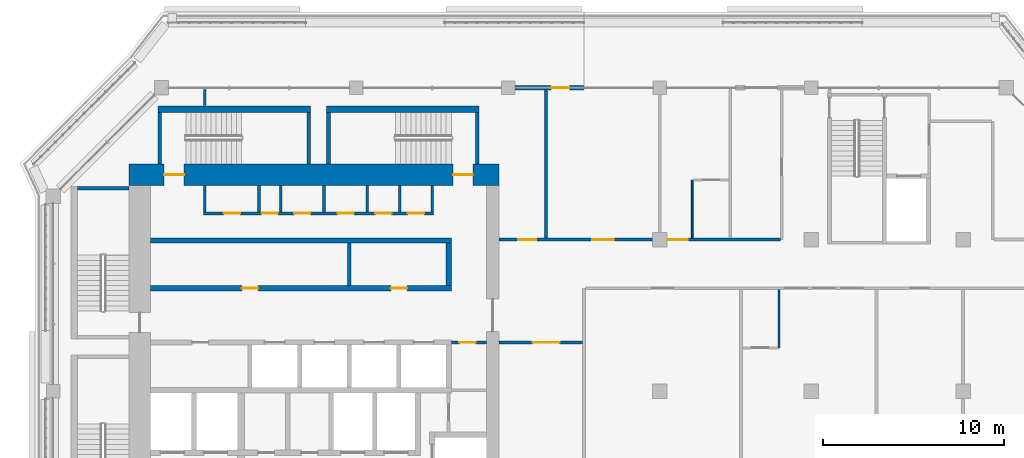
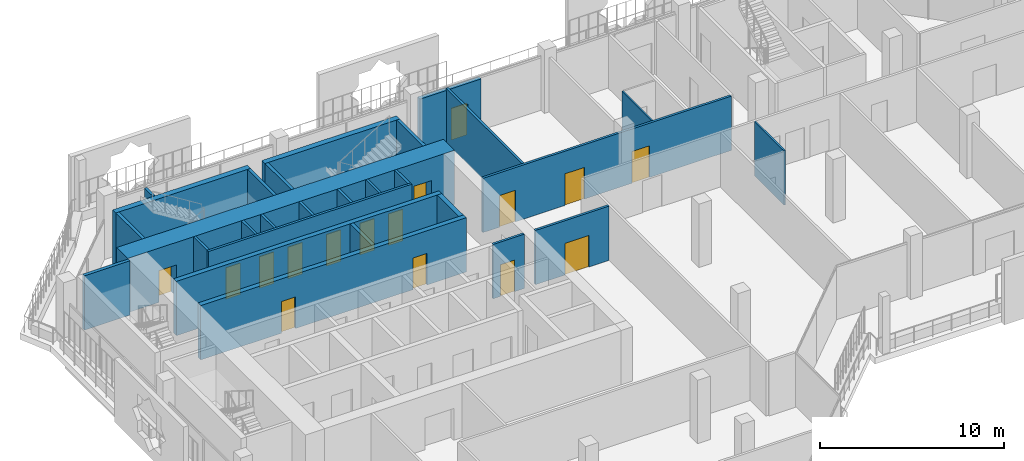
# One storey, part 12 of 21: 28 walls, 16 doors, 16 openings.
"""IFC4 building model written with IfcOpenShell, lengths in metres."""

from ifc_helpers import new_model, si_unit, direction, frame, frame_2d, origin, place, context, subcontext, project, spatial, rectangle, extrude, material, layer, layer_set, type_object, element, fill, save


model = new_model("IFC4")

# Units and contexts
model_context = context("Model", 3, precision=1e-05, world=origin(), true_north=direction((0.0, 1.0)))
body_context = subcontext(model_context, "Body", "Model", "MODEL_VIEW")
ifc_project = project(units=[si_unit("LENGTHUNIT", "METRE"), si_unit("AREAUNIT", "SQUARE_METRE"), si_unit("VOLUMEUNIT", "CUBIC_METRE"), si_unit("PLANEANGLEUNIT", "RADIAN"), si_unit("MASSUNIT", "GRAM", prefix="KILO")], contexts=[model_context])

# Site, building, storey
site_placement = place(None, origin())
site = spatial("IfcSite", under=ifc_project, at=site_placement, CompositionType="ELEMENT")
building_placement = place(site_placement, origin())
building = spatial("IfcBuilding", under=site, at=building_placement, Name="Kawkab Arch Medical Tower", CompositionType="ELEMENT")
storey_placement = place(building_placement, frame((0.0, 0.0, 323.800048828125)))
storey = spatial("IfcBuildingStorey", under=building, at=storey_placement, Name="L75", CompositionType="ELEMENT", Elevation=323.800048828125)

# Wall, openings, doors
ifc_material_1 = material(Name="Concrete C50/60", Category="concrete")
ifc_layer_1 = layer(ifc_material_1, 1.199951171875)
ifc_layer_set_1 = layer_set([ifc_layer_1], Name="Concrete C50/60")
wall_type_1 = type_object("IfcWallType", Name="Core ring wall 1200 C50/60", PredefinedType="SHEAR", material=ifc_layer_set_1)
wall_1_placement = place(storey_placement, frame((4.199951171875, -4.800048828125, 0.0), z_axis=(0.0, 0.0, 1.0), x_axis=(1.0, 0.0, 0.0)))
wall_1 = element("IfcWall", 1, at=wall_1_placement, inside=storey, type_object=wall_type_1, Name="L75 core wall", PredefinedType="SHEAR", context=body_context, shape_type="SweptSolid", body=[
    extrude(rectangle(XDim=20.5, YDim=1.199951171875, at=frame_2d((10.25, 0.0))), origin(), (0.0, 0.0, 1.0), 3.599853515625),
])
opening_1_placement = place(wall_1_placement, frame((1.949951171875, 0.0, 0.0)))
opening_1 = element("IfcOpeningElement", 2, at=opening_1_placement, cuts=wall_1, Name="Opening SD", PredefinedType="OPENING", context=body_context, shape_type="SweptSolid", body=[
    extrude(rectangle(XDim=1.10009765625, YDim=2.10009765625, at=frame_2d((0.550048828125, 1.050048828125))), frame((0.0, 0.60986328125, 0.0), z_axis=(0.0, -1.0, 0.0), x_axis=(1.0, 0.0, 0.0)), (0.0, 0.0, 1.0), 1.219970703125),
])
opening_2_placement = place(wall_1_placement, frame((17.949951171875, 0.0, 0.0)))
opening_2 = element("IfcOpeningElement", 3, at=opening_2_placement, cuts=wall_1, Name="Opening SD", PredefinedType="OPENING", context=body_context, shape_type="SweptSolid", body=[
    extrude(rectangle(XDim=1.10009765625, YDim=2.10009765625, at=frame_2d((0.550048828125, 1.050048828125))), frame((0.0, 0.60986328125, 0.0), z_axis=(0.0, -1.0, 0.0), x_axis=(1.0, 0.0, 0.0)), (0.0, 0.0, 1.0), 1.219970703125),
])
ifc_material_2 = material(Name="Hollow metal fire door leaf")
door_type_1 = type_object("IfcDoorType", Name="Exit stair door 1100", OperationType="SINGLE_SWING_LEFT", PredefinedType="DOOR", material=ifc_material_2)
door_1_placement = place(opening_1_placement, origin())
door_1 = element("IfcDoor", 4, at=door_1_placement, inside=storey, type_object=door_type_1, Name="L75 Exit stair ST3 door", OperationType="SINGLE_SWING_LEFT", OverallHeight=2.10009765625, OverallWidth=1.10009765625, PredefinedType="DOOR", context=body_context, shape_type="SweptSolid", body=[
    extrude(rectangle(XDim=1.10009765625, YDim=2.10009765625, at=frame_2d((0.550048828125, 1.050048828125))), frame((0.0, 0.02490234375, 0.0), z_axis=(0.0, -1.0, 0.0), x_axis=(1.0, 0.0, 0.0)), (0.0, 0.0, 1.0), 0.050048828125),
])
fill(opening_1, door_1)
door_2_placement = place(opening_2_placement, origin())
door_2 = element("IfcDoor", 5, at=door_2_placement, inside=storey, type_object=door_type_1, Name="L75 Exit stair ST4 door", OperationType="SINGLE_SWING_LEFT", OverallHeight=2.10009765625, OverallWidth=1.10009765625, PredefinedType="DOOR", context=body_context, shape_type="SweptSolid", body=[
    extrude(rectangle(XDim=1.10009765625, YDim=2.10009765625, at=frame_2d((0.550048828125, 1.050048828125))), frame((0.0, 0.02490234375, 0.0), z_axis=(0.0, -1.0, 0.0), x_axis=(1.0, 0.0, 0.0)), (0.0, 0.0, 1.0), 0.050048828125),
])
fill(opening_2, door_2)

# Wall, opening, door
ifc_material_3 = material(Name="Gypsum board on steel studs", Category="steel")
ifc_layer_2 = layer(ifc_material_3, 0.14990234375)
ifc_layer_set_2 = layer_set([ifc_layer_2], Name="Gypsum board on steel studs")
wall_type_2 = type_object("IfcWallType", Name="Core room partition 150", PredefinedType="PARTITIONING", material=ifc_layer_set_2)
wall_2_placement = place(storey_placement, frame((22.050048828125, -14.10009765625, 0.0), z_axis=(0.0, 0.0, 1.0), x_axis=(1.0, 0.0, 0.0)))
wall_2 = element("IfcWall", 6, at=wall_2_placement, inside=storey, type_object=wall_type_2, Name="L75 core room partition", PredefinedType="PARTITIONING", context=body_context, shape_type="SweptSolid", body=[
    extrude(rectangle(XDim=1.949951171875, YDim=0.14990234375, at=frame_2d((0.97509765625, 0.0))), origin(), (0.0, 0.0, 1.0), 3.599853515625),
])
opening_3_placement = place(wall_2_placement, frame((0.449951171875, 0.0, 0.0)))
opening_3 = element("IfcOpeningElement", 7, at=opening_3_placement, cuts=wall_2, Name="Opening RD", PredefinedType="OPENING", context=body_context, shape_type="SweptSolid", body=[
    extrude(rectangle(XDim=0.89990234375, YDim=2.10009765625, at=frame_2d((0.449951171875, 1.050048828125))), frame((0.0, 0.0849609375, 0.0), z_axis=(0.0, -1.0, 0.0), x_axis=(1.0, 0.0, 0.0)), (0.0, 0.0, 1.0), 0.169921875),
])
ifc_material_4 = material(Name="Hollow metal fire door leaf")
door_type_2 = type_object("IfcDoorType", Name="Core room door 900", OperationType="SINGLE_SWING_LEFT", PredefinedType="DOOR", material=ifc_material_4)
door_3_placement = place(opening_3_placement, origin())
door_3 = element("IfcDoor", 8, at=door_3_placement, inside=storey, type_object=door_type_2, Name="L75 Equipment store door", OperationType="SINGLE_SWING_LEFT", OverallHeight=2.10009765625, OverallWidth=0.89990234375, PredefinedType="DOOR", context=body_context, shape_type="SweptSolid", body=[
    extrude(rectangle(XDim=0.89990234375, YDim=2.10009765625, at=frame_2d((0.449951171875, 1.050048828125))), frame((0.0, 0.02490234375, 0.0), z_axis=(0.0, -1.0, 0.0), x_axis=(1.0, 0.0, 0.0)), (0.0, 0.0, 1.0), 0.050048828125),
])
fill(opening_3, door_3)

# Wall, openings, doors
wall_3_placement = place(storey_placement, frame((8.324951171875, -6.949951171875, 0.0), z_axis=(0.0, 0.0, 1.0), x_axis=(1.0, 0.0, 0.0)))
wall_3 = element("IfcWall", 9, at=wall_3_placement, inside=storey, type_object=wall_type_2, Name="L75 core room partition", PredefinedType="PARTITIONING", context=body_context, shape_type="SweptSolid", body=[
    extrude(rectangle(XDim=12.75, YDim=0.14990234375, at=frame_2d((6.375, 0.0))), origin(), (0.0, 0.0, 1.0), 3.599853515625),
])
opening_4_placement = place(wall_3_placement, frame((1.125, 0.0, 0.0)))
opening_4 = element("IfcOpeningElement", 10, at=opening_4_placement, cuts=wall_3, Name="Opening RD", PredefinedType="OPENING", context=body_context, shape_type="SweptSolid", body=[
    extrude(rectangle(XDim=0.89990234375, YDim=2.10009765625, at=frame_2d((0.449951171875, 1.050048828125))), frame((0.0, 0.0849609375, 0.0), z_axis=(0.0, -1.0, 0.0), x_axis=(1.0, 0.0, 0.0)), (0.0, 0.0, 1.0), 0.169921875),
])
opening_5_placement = place(wall_3_placement, frame((3.22509765625, 0.0, 0.0)))
opening_5 = element("IfcOpeningElement", 11, at=opening_5_placement, cuts=wall_3, Name="Opening RD", PredefinedType="OPENING", context=body_context, shape_type="SweptSolid", body=[
    extrude(rectangle(XDim=0.89990234375, YDim=2.10009765625, at=frame_2d((0.449951171875, 1.050048828125))), frame((0.0, 0.0849609375, 0.0), z_axis=(0.0, -1.0, 0.0), x_axis=(1.0, 0.0, 0.0)), (0.0, 0.0, 1.0), 0.169921875),
])
opening_6_placement = place(wall_3_placement, frame((5.02490234375, 0.0, 0.0)))
opening_6 = element("IfcOpeningElement", 12, at=opening_6_placement, cuts=wall_3, Name="Opening RD", PredefinedType="OPENING", context=body_context, shape_type="SweptSolid", body=[
    extrude(rectangle(XDim=0.89990234375, YDim=2.10009765625, at=frame_2d((0.449951171875, 1.050048828125))), frame((0.0, 0.0849609375, 0.0), z_axis=(0.0, -1.0, 0.0), x_axis=(1.0, 0.0, 0.0)), (0.0, 0.0, 1.0), 0.169921875),
])
opening_7_placement = place(wall_3_placement, frame((7.425048828125, 0.0, 0.0)))
opening_7 = element("IfcOpeningElement", 13, at=opening_7_placement, cuts=wall_3, Name="Opening RD", PredefinedType="OPENING", context=body_context, shape_type="SweptSolid", body=[
    extrude(rectangle(XDim=0.89990234375, YDim=2.10009765625, at=frame_2d((0.449951171875, 1.050048828125))), frame((0.0, 0.0849609375, 0.0), z_axis=(0.0, -1.0, 0.0), x_axis=(1.0, 0.0, 0.0)), (0.0, 0.0, 1.0), 0.169921875),
])
opening_8_placement = place(wall_3_placement, frame((9.52490234375, 0.0, 0.0)))
opening_8 = element("IfcOpeningElement", 14, at=opening_8_placement, cuts=wall_3, Name="Opening RD", PredefinedType="OPENING", context=body_context, shape_type="SweptSolid", body=[
    extrude(rectangle(XDim=0.89990234375, YDim=2.10009765625, at=frame_2d((0.449951171875, 1.050048828125))), frame((0.0, 0.0849609375, 0.0), z_axis=(0.0, -1.0, 0.0), x_axis=(1.0, 0.0, 0.0)), (0.0, 0.0, 1.0), 0.169921875),
])
opening_9_placement = place(wall_3_placement, frame((11.324951171875, 0.0, 0.0)))
opening_9 = element("IfcOpeningElement", 15, at=opening_9_placement, cuts=wall_3, Name="Opening RD", PredefinedType="OPENING", context=body_context, shape_type="SweptSolid", body=[
    extrude(rectangle(XDim=0.89990234375, YDim=2.10009765625, at=frame_2d((0.449951171875, 1.050048828125))), frame((0.0, 0.0849609375, 0.0), z_axis=(0.0, -1.0, 0.0), x_axis=(1.0, 0.0, 0.0)), (0.0, 0.0, 1.0), 0.169921875),
])
door_4_placement = place(opening_4_placement, origin())
door_4 = element("IfcDoor", 16, at=door_4_placement, inside=storey, type_object=door_type_2, Name="L75 General store door", OperationType="SINGLE_SWING_LEFT", OverallHeight=2.10009765625, OverallWidth=0.89990234375, PredefinedType="DOOR", context=body_context, shape_type="SweptSolid", body=[
    extrude(rectangle(XDim=0.89990234375, YDim=2.10009765625, at=frame_2d((0.449951171875, 1.050048828125))), frame((0.0, 0.02490234375, 0.0), z_axis=(0.0, -1.0, 0.0), x_axis=(1.0, 0.0, 0.0)), (0.0, 0.0, 1.0), 0.050048828125),
])
fill(opening_4, door_4)
door_5_placement = place(opening_5_placement, origin())
door_5 = element("IfcDoor", 17, at=door_5_placement, inside=storey, type_object=door_type_2, Name="L75 Electrical riser room door", OperationType="SINGLE_SWING_LEFT", OverallHeight=2.10009765625, OverallWidth=0.89990234375, PredefinedType="DOOR", context=body_context, shape_type="SweptSolid", body=[
    extrude(rectangle(XDim=0.89990234375, YDim=2.10009765625, at=frame_2d((0.449951171875, 1.050048828125))), frame((0.0, 0.02490234375, 0.0), z_axis=(0.0, -1.0, 0.0), x_axis=(1.0, 0.0, 0.0)), (0.0, 0.0, 1.0), 0.050048828125),
])
fill(opening_5, door_5)
door_6_placement = place(opening_6_placement, origin())
door_6 = element("IfcDoor", 18, at=door_6_placement, inside=storey, type_object=door_type_2, Name="L75 Housekeeping store door", OperationType="SINGLE_SWING_LEFT", OverallHeight=2.10009765625, OverallWidth=0.89990234375, PredefinedType="DOOR", context=body_context, shape_type="SweptSolid", body=[
    extrude(rectangle(XDim=0.89990234375, YDim=2.10009765625, at=frame_2d((0.449951171875, 1.050048828125))), frame((0.0, 0.02490234375, 0.0), z_axis=(0.0, -1.0, 0.0), x_axis=(1.0, 0.0, 0.0)), (0.0, 0.0, 1.0), 0.050048828125),
])
fill(opening_6, door_6)
door_7_placement = place(opening_7_placement, origin())
door_7 = element("IfcDoor", 19, at=door_7_placement, inside=storey, type_object=door_type_2, Name="L75 UPS room door", OperationType="SINGLE_SWING_LEFT", OverallHeight=2.10009765625, OverallWidth=0.89990234375, PredefinedType="DOOR", context=body_context, shape_type="SweptSolid", body=[
    extrude(rectangle(XDim=0.89990234375, YDim=2.10009765625, at=frame_2d((0.449951171875, 1.050048828125))), frame((0.0, 0.02490234375, 0.0), z_axis=(0.0, -1.0, 0.0), x_axis=(1.0, 0.0, 0.0)), (0.0, 0.0, 1.0), 0.050048828125),
])
fill(opening_7, door_7)
door_8_placement = place(opening_8_placement, origin())
door_8 = element("IfcDoor", 20, at=door_8_placement, inside=storey, type_object=door_type_2, Name="L75 Comms room door", OperationType="SINGLE_SWING_LEFT", OverallHeight=2.10009765625, OverallWidth=0.89990234375, PredefinedType="DOOR", context=body_context, shape_type="SweptSolid", body=[
    extrude(rectangle(XDim=0.89990234375, YDim=2.10009765625, at=frame_2d((0.449951171875, 1.050048828125))), frame((0.0, 0.02490234375, 0.0), z_axis=(0.0, -1.0, 0.0), x_axis=(1.0, 0.0, 0.0)), (0.0, 0.0, 1.0), 0.050048828125),
])
fill(opening_8, door_8)
door_9_placement = place(opening_9_placement, origin())
door_9 = element("IfcDoor", 21, at=door_9_placement, inside=storey, type_object=door_type_2, Name="L75 Electrical riser room door", OperationType="SINGLE_SWING_LEFT", OverallHeight=2.10009765625, OverallWidth=0.89990234375, PredefinedType="DOOR", context=body_context, shape_type="SweptSolid", body=[
    extrude(rectangle(XDim=0.89990234375, YDim=2.10009765625, at=frame_2d((0.449951171875, 1.050048828125))), frame((0.0, 0.02490234375, 0.0), z_axis=(0.0, -1.0, 0.0), x_axis=(1.0, 0.0, 0.0)), (0.0, 0.0, 1.0), 0.050048828125),
])
fill(opening_9, door_9)

# Walls
for number, where, z_axis, x_axis, name in (
    (22, (8.39990234375, -6.875, 0.0), (0.0, 0.0, 1.0), (0.0, 1.0, 0.0), "L75 core room partition"),
    (23, (11.39990234375, -6.875, 0.0), (0.0, 0.0, 1.0), (0.0, 1.0, 0.0), "L75 core room partition"),
    (24, (12.60009765625, -6.875, 0.0), (0.0, 0.0, 1.0), (0.0, 1.0, 0.0), "L75 core room partition"),
    (25, (15.0, -6.875, 0.0), (0.0, 0.0, 1.0), (0.0, 1.0, 0.0), "L75 core room partition"),
    (26, (17.39990234375, -6.875, 0.0), (0.0, 0.0, 1.0), (0.0, 1.0, 0.0), "L75 core room partition"),
    (27, (19.199951171875, -6.875, 0.0), (0.0, 0.0, 1.0), (0.0, 1.0, 0.0), "L75 core room partition"),
    (28, (21.0, -6.875, 0.0), (0.0, 0.0, 1.0), (0.0, 1.0, 0.0), "L75 core room partition"),
):
    element("IfcWall", number, at=place(storey_placement, frame(where, z_axis=z_axis, x_axis=x_axis)), inside=storey, type_object=wall_type_2, Name=name, PredefinedType="PARTITIONING", context=body_context, shape_type="SweptSolid", body=[
        extrude(rectangle(XDim=1.47509765625, YDim=0.14990234375, at=frame_2d((0.737548828125, 0.0))), origin(), (0.0, 0.0, 1.0), 3.599853515625),
    ])
ifc_material_5 = material(Name="Concrete C60/75", Category="concrete")
ifc_layer_3 = layer(ifc_material_5, 0.300048828125)
ifc_layer_set_3 = layer_set([ifc_layer_3], Name="Concrete C60/75")
wall_type_3 = type_object("IfcWallType", Name="Core shear wall 300 C60/75", PredefinedType="SHEAR", material=ifc_layer_set_3)
wall_4_placement = place(storey_placement, frame((5.39990234375, -8.449951171875, 0.0), z_axis=(0.0, 0.0, 1.0), x_axis=(1.0, 0.0, 0.0)))
element("IfcWall", 29, at=wall_4_placement, inside=storey, type_object=wall_type_3, Name="L75 core shear wall", PredefinedType="SHEAR", context=body_context, shape_type="SweptSolid", body=[
    extrude(rectangle(XDim=16.650146484375, YDim=0.300048828125, at=frame_2d((8.3251953125, 0.0))), origin(), (0.0, 0.0, 1.0), 3.599853515625),
])

# Wall, openings, doors
wall_5_placement = place(storey_placement, frame((5.39990234375, -11.10009765625, 0.0), z_axis=(0.0, 0.0, 1.0), x_axis=(1.0, 0.0, 0.0)))
wall_5 = element("IfcWall", 30, at=wall_5_placement, inside=storey, type_object=wall_type_3, Name="L75 core shear wall", PredefinedType="SHEAR", context=body_context, shape_type="SweptSolid", body=[
    extrude(rectangle(XDim=16.650146484375, YDim=0.300048828125, at=frame_2d((8.3251953125, 0.0))), origin(), (0.0, 0.0, 1.0), 3.599853515625),
])
opening_10_placement = place(wall_5_placement, frame((5.050048828125, 0.0, 0.0)))
opening_10 = element("IfcOpeningElement", 31, at=opening_10_placement, cuts=wall_5, Name="Opening RD", PredefinedType="OPENING", context=body_context, shape_type="SweptSolid", body=[
    extrude(rectangle(XDim=0.89990234375, YDim=2.10009765625, at=frame_2d((0.449951171875, 1.050048828125))), frame((0.0, 0.159912109375, 0.0), z_axis=(0.0, -1.0, 0.0), x_axis=(1.0, 0.0, 0.0)), (0.0, 0.0, 1.0), 0.320068359375),
])
opening_11_placement = place(wall_5_placement, frame((13.300048828125, 0.0, 0.0)))
opening_11 = element("IfcOpeningElement", 32, at=opening_11_placement, cuts=wall_5, Name="Opening RD", PredefinedType="OPENING", context=body_context, shape_type="SweptSolid", body=[
    extrude(rectangle(XDim=0.89990234375, YDim=2.10009765625, at=frame_2d((0.449951171875, 1.050048828125))), frame((0.0, 0.159912109375, 0.0), z_axis=(0.0, -1.0, 0.0), x_axis=(1.0, 0.0, 0.0)), (0.0, 0.0, 1.0), 0.320068359375),
])
door_10_placement = place(opening_10_placement, origin())
door_10 = element("IfcDoor", 33, at=door_10_placement, inside=storey, type_object=door_type_2, Name="L75 Housekeeping store door", OperationType="SINGLE_SWING_LEFT", OverallHeight=2.10009765625, OverallWidth=0.89990234375, PredefinedType="DOOR", context=body_context, shape_type="SweptSolid", body=[
    extrude(rectangle(XDim=0.89990234375, YDim=2.10009765625, at=frame_2d((0.449951171875, 1.050048828125))), frame((0.0, 0.02490234375, 0.0), z_axis=(0.0, -1.0, 0.0), x_axis=(1.0, 0.0, 0.0)), (0.0, 0.0, 1.0), 0.050048828125),
])
fill(opening_10, door_10)
door_11_placement = place(opening_11_placement, origin())
door_11 = element("IfcDoor", 34, at=door_11_placement, inside=storey, type_object=door_type_2, Name="L75 Medication store door", OperationType="SINGLE_SWING_LEFT", OverallHeight=2.10009765625, OverallWidth=0.89990234375, PredefinedType="DOOR", context=body_context, shape_type="SweptSolid", body=[
    extrude(rectangle(XDim=0.89990234375, YDim=2.10009765625, at=frame_2d((0.449951171875, 1.050048828125))), frame((0.0, 0.02490234375, 0.0), z_axis=(0.0, -1.0, 0.0), x_axis=(1.0, 0.0, 0.0)), (0.0, 0.0, 1.0), 0.050048828125),
])
fill(opening_11, door_11)

# Wall
wall_6_placement = place(storey_placement, frame((21.89990234375, -10.949951171875, 0.0), z_axis=(0.0, 0.0, 1.0), x_axis=(0.0, 1.0, 0.0)))
element("IfcWall", 35, at=wall_6_placement, inside=storey, type_object=wall_type_3, Name="L75 core shear wall", PredefinedType="SHEAR", context=body_context, shape_type="SweptSolid", body=[
    extrude(rectangle(XDim=2.349853515625, YDim=0.300048828125, at=frame_2d((1.1748046875, 0.0))), origin(), (0.0, 0.0, 1.0), 3.599853515625),
])

# Wall, opening, door
ifc_material_6 = material(Name="Bronze clad insulated wall panel")
ifc_layer_4 = layer(ifc_material_6, 0.25)
ifc_layer_set_4 = layer_set([ifc_layer_4], Name="Bronze clad insulated wall panel")
wall_type_4 = type_object("IfcWallType", Name="External wall bay 250", PredefinedType="SOLIDWALL", material=ifc_layer_set_4)
wall_7_placement = place(storey_placement, frame((29.39990234375, 0.0, 0.0), z_axis=(0.0, 0.0, 1.0), x_axis=(-1.0, 0.0, 0.0)))
wall_7 = element("IfcWall", 36, at=wall_7_placement, inside=storey, type_object=wall_type_4, Name="External wall bay L75.R15.3.2", PredefinedType="SOLIDWALL", context=body_context, shape_type="SweptSolid", body=[
    extrude(rectangle(XDim=3.824951171875, YDim=0.25, at=frame_2d((1.91259765625, 0.0))), origin(), (0.0, 0.0, 1.0), 3.47998046875),
])
opening_12_placement = place(wall_7_placement, frame((0.8125, 0.0, 0.0)))
opening_12 = element("IfcOpeningElement", 37, at=opening_12_placement, cuts=wall_7, Name="Opening W70-702", PredefinedType="OPENING", context=body_context, shape_type="SweptSolid", body=[
    extrude(rectangle(XDim=1.0, YDim=2.10009765625, at=frame_2d((0.5, 1.050048828125))), frame((0.0, 0.135009765625, 0.0), z_axis=(0.0, -1.0, 0.0), x_axis=(1.0, 0.0, 0.0)), (0.0, 0.0, 1.0), 0.27001953125),
])
ifc_material_7 = material(Name="Bronze anodised aluminium door with tinted glass", Category="aluminium")
door_type_3 = type_object("IfcDoorType", Name="Single external door 1000 x 2100", OperationType="SINGLE_SWING_LEFT", PredefinedType="DOOR", material=ifc_material_7)
door_12_placement = place(opening_12_placement, origin())
door_12 = element("IfcDoor", 38, at=door_12_placement, inside=storey, type_object=door_type_3, Name="External door L75.R15.3.2", OperationType="SINGLE_SWING_LEFT", OverallHeight=2.10009765625, OverallWidth=1.0, PredefinedType="DOOR", context=body_context, shape_type="SweptSolid", body=[
    extrude(rectangle(XDim=1.0, YDim=2.10009765625, at=frame_2d((0.5, 1.050048828125))), frame((0.0, 0.02490234375, 0.0), z_axis=(0.0, -1.0, 0.0), x_axis=(1.0, 0.0, 0.0)), (0.0, 0.0, 1.0), 0.050048828125),
])
fill(opening_12, door_12)

# Walls
ifc_material_8 = material(Name="Dense concrete blockwork", Category="masonry")
ifc_layer_5 = layer(ifc_material_8, 0.199951171875)
ifc_layer_set_5 = layer_set([ifc_layer_5], Name="Dense concrete blockwork")
wall_type_5 = type_object("IfcWallType", Name="Lift shaft partition 200", PredefinedType="PARTITIONING", material=ifc_layer_set_5)
wall_8_placement = place(storey_placement, frame((16.39990234375, -10.949951171875, 0.0), z_axis=(0.0, 0.0, 1.0), x_axis=(0.0, 1.0, 0.0)))
element("IfcWall", 39, at=wall_8_placement, inside=storey, type_object=wall_type_5, Name="L75 lift shaft partition", PredefinedType="PARTITIONING", context=body_context, shape_type="SweptSolid", body=[
    extrude(rectangle(XDim=2.349853515625, YDim=0.199951171875, at=frame_2d((1.1748046875, 0.0))), origin(), (0.0, 0.0, 1.0), 3.599853515625),
])
ifc_material_9 = material(Name="Gypsum board partition on steel studs", Category="steel")
ifc_layer_6 = layer(ifc_material_9, 0.10009765625)
ifc_layer_set_6 = layer_set([ifc_layer_6], Name="Gypsum board partition on steel studs")
wall_type_6 = type_object("IfcWallType", Name="Partition 100", PredefinedType="PARTITIONING", material=ifc_layer_set_6)
for number, where, z_axis, x_axis, name in (
    (40, (35.39990234375, -8.324951171875, 0.0), (0.0, 0.0, 1.0), (0.0, 1.0, 0.0), "Partition 100 w003"),
    (41, (40.199951171875, -14.39990234375, 0.0), (0.0, 0.0, 1.0), (0.0, 1.0, 0.0), "Partition 100 w004"),
):
    element("IfcWall", number, at=place(storey_placement, frame(where, z_axis=z_axis, x_axis=x_axis)), inside=storey, type_object=wall_type_6, Name=name, PredefinedType="PARTITIONING", context=body_context, shape_type="SweptSolid", body=[
        extrude(rectangle(XDim=3.224853515625, YDim=0.10009765625, at=frame_2d((1.6123046875, 0.0))), origin(), (0.0, 0.0, 1.0), 3.599853515625),
    ])

# Wall, opening, door
ifc_material_10 = material(Name="Gypsum board partition on steel studs, mineral wool", Category="steel")
ifc_layer_7 = layer(ifc_material_10, 0.14990234375)
ifc_layer_set_7 = layer_set([ifc_layer_7], Name="Gypsum board partition on steel studs, mineral wool")
wall_type_7 = type_object("IfcWallType", Name="Partition 150", PredefinedType="PARTITIONING", material=ifc_layer_set_7)
wall_9_placement = place(storey_placement, frame((24.699951171875, -14.10009765625, 0.0), z_axis=(0.0, 0.0, 1.0), x_axis=(1.0, 0.0, 0.0)))
wall_9 = element("IfcWall", 42, at=wall_9_placement, inside=storey, type_object=wall_type_7, Name="Partition 150 w009", PredefinedType="PARTITIONING", context=body_context, shape_type="SweptSolid", body=[
    extrude(rectangle(XDim=4.625, YDim=0.14990234375, at=frame_2d((2.3125, 0.0))), origin(), (0.0, 0.0, 1.0), 3.599853515625),
])
opening_13_placement = place(wall_9_placement, frame((1.85009765625, 0.0, 0.0)))
opening_13 = element("IfcOpeningElement", 43, at=opening_13_placement, cuts=wall_9, Name="Opening W70-001", PredefinedType="OPENING", context=body_context, shape_type="SweptSolid", body=[
    extrude(rectangle(XDim=1.5, YDim=2.10009765625, at=frame_2d((0.75, 1.050048828125))), frame((0.0, 0.0849609375, 0.0), z_axis=(0.0, -1.0, 0.0), x_axis=(1.0, 0.0, 0.0)), (0.0, 0.0, 1.0), 0.169921875),
])
ifc_material_11 = material(Name="Hollow metal door leaf")
door_type_4 = type_object("IfcDoorType", Name="Double door 1500x2100 FD30S", OperationType="NOTDEFINED", PredefinedType="DOOR", material=ifc_material_11)
door_13_placement = place(opening_13_placement, origin())
door_13 = element("IfcDoor", 44, at=door_13_placement, inside=storey, type_object=door_type_4, Name="Door W70-001", OperationType="DOUBLE_DOOR_SINGLE_SWING", OverallHeight=2.10009765625, OverallWidth=1.5, PredefinedType="DOOR", context=body_context, shape_type="SweptSolid", body=[
    extrude(rectangle(XDim=1.5, YDim=2.10009765625, at=frame_2d((0.75, 1.050048828125))), frame((0.0, 0.02490234375, 0.0), z_axis=(0.0, -1.0, 0.0), x_axis=(1.0, 0.0, 0.0)), (0.0, 0.0, 1.0), 0.050048828125),
])
fill(opening_13, door_13)

# Wall, openings, doors
wall_10_placement = place(storey_placement, frame((24.699951171875, -8.39990234375, 0.0), z_axis=(0.0, 0.0, 1.0), x_axis=(1.0, 0.0, 0.0)))
wall_10 = element("IfcWall", 45, at=wall_10_placement, inside=storey, type_object=wall_type_7, Name="Partition 150 w011", PredefinedType="PARTITIONING", context=body_context, shape_type="SweptSolid", body=[
    extrude(rectangle(XDim=15.58203125, YDim=0.14990234375, at=frame_2d((7.791015625, 0.0))), origin(), (0.0, 0.0, 1.0), 3.599853515625),
])
opening_14_placement = place(wall_10_placement, frame((9.35009765625, 0.0, 0.0)))
opening_14 = element("IfcOpeningElement", 46, at=opening_14_placement, cuts=wall_10, Name="Opening W70-010", PredefinedType="OPENING", context=body_context, shape_type="SweptSolid", body=[
    extrude(rectangle(XDim=1.10009765625, YDim=2.10009765625, at=frame_2d((0.550048828125, 1.050048828125))), frame((0.0, 0.0849609375, 0.0), z_axis=(0.0, -1.0, 0.0), x_axis=(1.0, 0.0, 0.0)), (0.0, 0.0, 1.0), 0.169921875),
])
opening_15_placement = place(wall_10_placement, frame((1.050048828125, 0.0, 0.0)))
opening_15 = element("IfcOpeningElement", 47, at=opening_15_placement, cuts=wall_10, Name="Opening W70-007", PredefinedType="OPENING", context=body_context, shape_type="SweptSolid", body=[
    extrude(rectangle(XDim=1.0, YDim=2.10009765625, at=frame_2d((0.5, 1.050048828125))), frame((0.0, 0.0849609375, 0.0), z_axis=(0.0, -1.0, 0.0), x_axis=(1.0, 0.0, 0.0)), (0.0, 0.0, 1.0), 0.169921875),
])
opening_16_placement = place(wall_10_placement, frame((5.14990234375, 0.0, 0.0)))
opening_16 = element("IfcOpeningElement", 48, at=opening_16_placement, cuts=wall_10, Name="Opening W70-017", PredefinedType="OPENING", context=body_context, shape_type="SweptSolid", body=[
    extrude(rectangle(XDim=1.199951171875, YDim=2.10009765625, at=frame_2d((0.60009765625, 1.050048828125))), frame((0.0, 0.0849609375, 0.0), z_axis=(0.0, -1.0, 0.0), x_axis=(1.0, 0.0, 0.0)), (0.0, 0.0, 1.0), 0.169921875),
])
ifc_material_12 = material(Name="Timber door leaf", Category="wood")
door_type_5 = type_object("IfcDoorType", Name="Single door 1000x2100", OperationType="NOTDEFINED", PredefinedType="DOOR", material=ifc_material_12)
door_14_placement = place(opening_15_placement, origin())
door_14 = element("IfcDoor", 49, at=door_14_placement, inside=storey, type_object=door_type_5, Name="Door W70-007", OperationType="SINGLE_SWING_LEFT", OverallHeight=2.10009765625, OverallWidth=1.0, PredefinedType="DOOR", context=body_context, shape_type="SweptSolid", body=[
    extrude(rectangle(XDim=1.0, YDim=2.10009765625, at=frame_2d((0.5, 1.050048828125))), frame((0.0, 0.02490234375, 0.0), z_axis=(0.0, -1.0, 0.0), x_axis=(1.0, 0.0, 0.0)), (0.0, 0.0, 1.0), 0.050048828125),
])
fill(opening_15, door_14)
ifc_material_13 = material(Name="Hollow metal door leaf")
door_type_6 = type_object("IfcDoorType", Name="Single door 1100x2100 FD30S", OperationType="NOTDEFINED", PredefinedType="DOOR", material=ifc_material_13)
door_15_placement = place(opening_14_placement, origin())
door_15 = element("IfcDoor", 50, at=door_15_placement, inside=storey, type_object=door_type_6, Name="Door W70-010", OperationType="SINGLE_SWING_RIGHT", OverallHeight=2.10009765625, OverallWidth=1.10009765625, PredefinedType="DOOR", context=body_context, shape_type="SweptSolid", body=[
    extrude(rectangle(XDim=1.10009765625, YDim=2.10009765625, at=frame_2d((0.550048828125, 1.050048828125))), frame((0.0, 0.02490234375, 0.0), z_axis=(0.0, -1.0, 0.0), x_axis=(1.0, 0.0, 0.0)), (0.0, 0.0, 1.0), 0.050048828125),
])
fill(opening_14, door_15)
ifc_material_14 = material(Name="Hollow metal door leaf")
door_type_7 = type_object("IfcDoorType", Name="Single door 1200x2100 FD30S", OperationType="NOTDEFINED", PredefinedType="DOOR", material=ifc_material_14)
door_16_placement = place(opening_16_placement, origin())
door_16 = element("IfcDoor", 51, at=door_16_placement, inside=storey, type_object=door_type_7, Name="Door W70-017", OperationType="SINGLE_SWING_LEFT", OverallHeight=2.10009765625, OverallWidth=1.199951171875, PredefinedType="DOOR", context=body_context, shape_type="SweptSolid", body=[
    extrude(rectangle(XDim=1.199951171875, YDim=2.10009765625, at=frame_2d((0.60009765625, 1.050048828125))), frame((0.0, 0.02490234375, 0.0), z_axis=(0.0, -1.0, 0.0), x_axis=(1.0, 0.0, 0.0)), (0.0, 0.0, 1.0), 0.050048828125),
])
fill(opening_16, door_16)

# Walls
wall_11_placement = place(storey_placement, frame((8.39990234375, -0.969970703125, 0.0), z_axis=(0.0, 0.0, 1.0), x_axis=(0.0, 1.0, 0.0)))
element("IfcWall", 52, at=wall_11_placement, inside=storey, type_object=wall_type_7, Name="Partition 150 w015", PredefinedType="PARTITIONING", context=body_context, shape_type="SweptSolid", body=[
    extrude(rectangle(XDim=0.889892578125, YDim=0.14990234375, at=frame_2d((0.44482421875, 0.0))), origin(), (0.0, 0.0, 1.0), 3.599853515625),
])
wall_12_placement = place(storey_placement, frame((27.300048828125, -8.324951171875, 0.0), z_axis=(0.0, 0.0, 1.0), x_axis=(0.0, 1.0, 0.0)))
element("IfcWall", 53, at=wall_12_placement, inside=storey, type_object=wall_type_7, Name="Partition 150 w018", PredefinedType="PARTITIONING", context=body_context, shape_type="SweptSolid", body=[
    extrude(rectangle(XDim=8.244873046875, YDim=0.14990234375, at=frame_2d((4.12255859375, 0.0))), origin(), (0.0, 0.0, 1.0), 3.599853515625),
])
ifc_material_15 = material(Name="Concrete C50/60", Category="concrete")
ifc_layer_8 = layer(ifc_material_15, 0.199951171875)
ifc_layer_set_8 = layer_set([ifc_layer_8], Name="Concrete C50/60")
wall_type_8 = type_object("IfcWallType", Name="Stair enclosure wall 200 C50/60", PredefinedType="SHEAR", material=ifc_layer_set_8)
for number, where, z_axis, x_axis, name in (
    (54, (1.35009765625, -5.550048828125, 0.0), (0.0, 0.0, 1.0), (1.0, 0.0, 0.0), "L75 stair enclosure wall"),
    (55, (5.89990234375, -4.199951171875, 0.0), (0.0, 0.0, 1.0), (0.0, 1.0, 0.0), "L75 stair enclosure wall"),
    (56, (14.14990234375, -4.199951171875, 0.0), (0.0, 0.0, 1.0), (0.0, 1.0, 0.0), "L75 stair enclosure wall"),
    (57, (15.25, -4.199951171875, 0.0), (0.0, 0.0, 1.0), (0.0, 1.0, 0.0), "L75 stair enclosure wall"),
    (58, (23.5, -4.199951171875, 0.0), (0.0, 0.0, 1.0), (0.0, 1.0, 0.0), "L75 stair enclosure wall"),
):
    element("IfcWall", number, at=place(storey_placement, frame(where, z_axis=z_axis, x_axis=x_axis)), inside=storey, type_object=wall_type_8, Name=name, PredefinedType="SHEAR", context=body_context, shape_type="SweptSolid", body=[
        extrude(rectangle(XDim=2.849853515625, YDim=0.199951171875, at=frame_2d((1.4248046875, 0.0))), origin(), (0.0, 0.0, 1.0), 3.599853515625),
    ])
ifc_material_16 = material(Name="Concrete C50/60", Category="concrete")
ifc_layer_9 = layer(ifc_material_16, 0.35009765625)
ifc_layer_set_9 = layer_set([ifc_layer_9], Name="Concrete C50/60")
wall_type_9 = type_object("IfcWallType", Name="Stair enclosure wall 350 C50/60", PredefinedType="SHEAR", material=ifc_layer_set_9)
wall_13_placement = place(storey_placement, frame((5.800048828125, -1.175048828125, 0.0), z_axis=(0.0, 0.0, 1.0), x_axis=(1.0, 0.0, 0.0)))
element("IfcWall", 59, at=wall_13_placement, inside=storey, type_object=wall_type_9, Name="L75 stair enclosure wall", PredefinedType="SHEAR", context=body_context, shape_type="SweptSolid", body=[
    extrude(rectangle(XDim=8.449951171875, YDim=0.35009765625, at=frame_2d((4.22509765625, 0.0))), origin(), (0.0, 0.0, 1.0), 3.599853515625),
])
wall_14_placement = place(storey_placement, frame((15.14990234375, -1.175048828125, 0.0), z_axis=(0.0, 0.0, 1.0), x_axis=(1.0, 0.0, 0.0)))
element("IfcWall", 60, at=wall_14_placement, inside=storey, type_object=wall_type_9, Name="L75 stair enclosure wall", PredefinedType="SHEAR", context=body_context, shape_type="SweptSolid", body=[
    extrude(rectangle(XDim=8.4501953125, YDim=0.35009765625, at=frame_2d((4.22509765625, 0.0))), origin(), (0.0, 0.0, 1.0), 3.599853515625),
])

save(model, "model.ifc")
